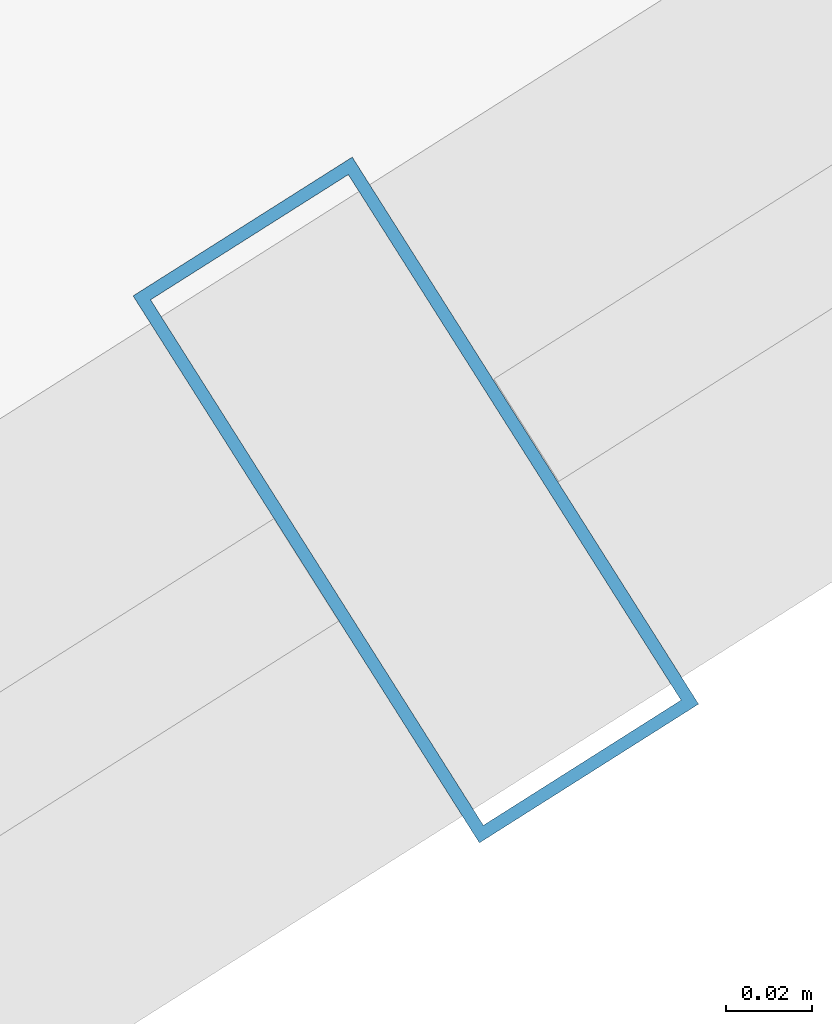
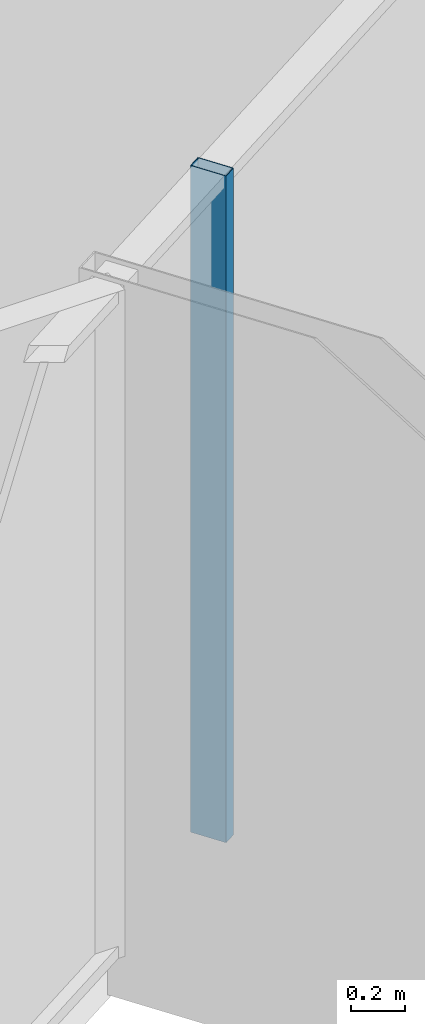
# One storey, part 10 of 33: 1 member, 1 element without a shape of its own.
"""IFC4 building model written with IfcOpenShell, lengths in metres."""

from ifc_helpers import new_model, si_unit, direction, frame, origin, origin_2d, place, context, subcontext, project, spatial, hollow_rectangle, extrude, source, transform, mapped, material, layer, layer_set, material_profile, profile_set, type_object, element, aggregate, save


model = new_model("IFC4")

# Units and contexts
model_context = context("Model", 3, precision=1e-05, world=origin(), true_north=direction((0.0, 1.0)))
body_context = subcontext(model_context, "Body", "Model", "MODEL_VIEW")
ifc_project = project(units=[si_unit("LENGTHUNIT", "METRE"), si_unit("AREAUNIT", "SQUARE_METRE"), si_unit("VOLUMEUNIT", "CUBIC_METRE"), si_unit("PLANEANGLEUNIT", "RADIAN"), si_unit("MASSUNIT", "GRAM", prefix="KILO")], contexts=[model_context])

# Site, building, storey
site_placement = place(None, origin())
site = spatial("IfcSite", under=ifc_project, at=site_placement, CompositionType="ELEMENT")
building_placement = place(site_placement, origin())
building = spatial("IfcBuilding", under=site, at=building_placement, Name="Veraguas Prism Commons", CompositionType="ELEMENT")
storey_placement = place(building_placement, frame((0.0, 0.0, 198.35009765625)))
storey = spatial("IfcBuildingStorey", under=building, at=storey_placement, Name="L56", CompositionType="ELEMENT", Elevation=198.35009765625)

# Curtain wall, member
ifc_material = material(Name="Anodised aluminium EN AW-6063 T6", Category="aluminium")
ifc_layer = layer(ifc_material, 0.14990234375, Name="Unitised Flush Curtain Wall Zone 3", Category="aluminium")
ifc_layer_set = layer_set([ifc_layer], Name="Anodised aluminium EN AW-6063 T6")
curtain_wall_type = type_object("IfcCurtainWallType", Name="Unitised Flush Curtain Wall Zone 3", PredefinedType="NOTDEFINED", material=ifc_layer_set)
curtain_wall_placement = place(storey_placement, origin())
curtain_wall = element("IfcCurtainWall", 1, at=curtain_wall_placement, inside=storey, type_object=curtain_wall_type, Name="Tower Facade Curtain Wall L56-F5", PredefinedType="NOTDEFINED")
ifc_material_profile = material_profile(ifc_material, hollow_rectangle(XDim=0.06005859375, YDim=0.14990234375, WallThickness=0.0029296875, at=origin_2d()), Name="AL60X150X3")
ifc_profile_set = profile_set([ifc_material_profile], Name="Anodised aluminium EN AW-6063 T6")
member_type = type_object("IfcMemberType", Name="Curtain Wall Mullion Upper AL 60x150x3", PredefinedType="MULLION", material=ifc_profile_set)
shared_shape = source(origin(), body_context, "Body", "SweptSolid", [
    extrude(hollow_rectangle(XDim=0.06005859375, YDim=0.14990234375, WallThickness=0.0029296875, at=origin_2d()), origin(), (0.0, 0.0, 1.0), 3.014892578125),
])
member_placement = place(storey_placement, frame((36.832763671875, 11.16357421875, 0.0), z_axis=(0.0, 0.0, 1.0), x_axis=(0.844886711646, 0.534945272419, 0.0)))
member = element("IfcMember", 2, at=member_placement, type_object=member_type, Name="CW-Z3 Mullion 4", PredefinedType="MULLION", context=body_context, shape_type="MappedRepresentation", body=[
    mapped(shared_shape, transform((0.0, 0.0, 0.0), scale=1.0)),
])
aggregate(curtain_wall, [member])

save(model, "model.ifc")
